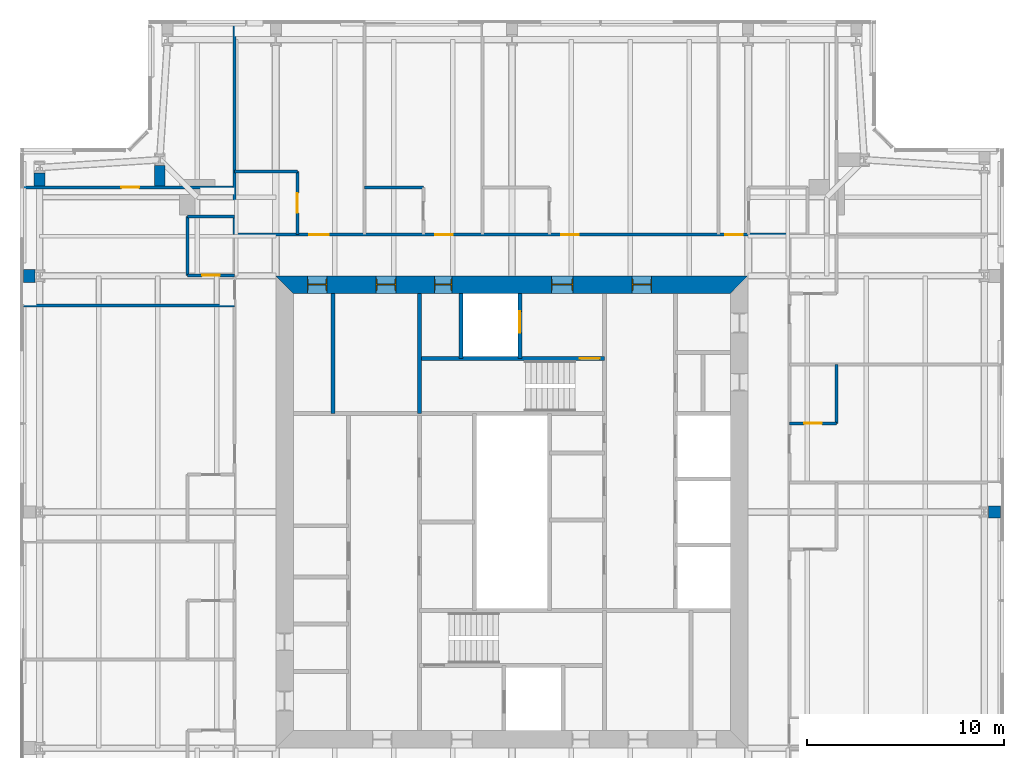
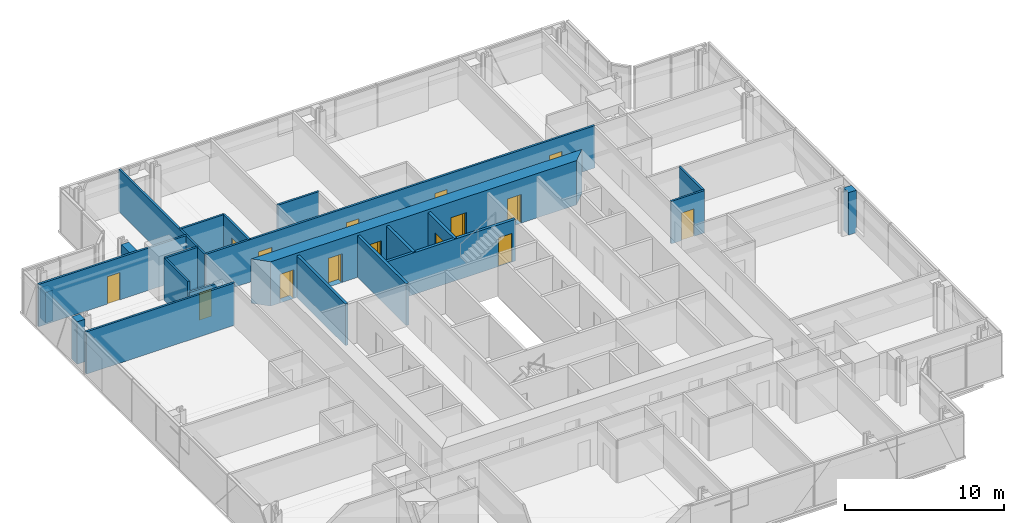
# One storey, part 14 of 20: 22 walls, 15 doors, 15 openings.
"""IFC4 building model written with IfcOpenShell, lengths in metres."""

from ifc_helpers import new_model, si_unit, direction, frame, frame_2d, origin, place, context, subcontext, project, spatial, polyline, rectangle, outline, extrude, material, layer, layer_set, type_object, element, fill, save


model = new_model("IFC4")

# Units and contexts
model_context = context("Model", 3, precision=1e-05, world=origin(), true_north=direction((0.0, 1.0)))
body_context = subcontext(model_context, "Body", "Model", "MODEL_VIEW")
ifc_project = project(units=[si_unit("LENGTHUNIT", "METRE"), si_unit("AREAUNIT", "SQUARE_METRE"), si_unit("VOLUMEUNIT", "CUBIC_METRE"), si_unit("PLANEANGLEUNIT", "RADIAN"), si_unit("MASSUNIT", "GRAM", prefix="KILO")], contexts=[model_context])

# Site, building, storey
site_placement = place(None, origin())
site = spatial("IfcSite", under=ifc_project, at=site_placement, CompositionType="ELEMENT")
building_placement = place(site_placement, origin())
building = spatial("IfcBuilding", under=site, at=building_placement, Name="Fenwick Lantern Interchange", CompositionType="ELEMENT")
storey_placement = place(building_placement, frame((0.0, 0.0, 259.39990234375)))
storey = spatial("IfcBuildingStorey", under=building, at=storey_placement, Name="L61", CompositionType="ELEMENT", Elevation=259.39990234375)

# Walls
ifc_material_1 = material(Name="Fire-rated gypsum board encasement on steel studs, 2 hour", Category="steel")
ifc_layer_1 = layer(ifc_material_1, 0.554931640625)
ifc_layer_set_1 = layer_set([ifc_layer_1], Name="COLUMN PIER 555")
wall_type_1 = type_object("IfcWallType", Name="COLUMN PIER 555", PredefinedType="PARTITIONING", material=ifc_layer_set_1)
wall_1_placement = place(storey_placement, frame((7.10009765625, 41.574951171875, 0.0), z_axis=(0.0, 0.0, 1.0), x_axis=(0.0, 1.0, 0.0)))
element("IfcWall", 1, at=wall_1_placement, inside=storey, type_object=wall_type_1, Name="L61/W/PIER/CNR", PredefinedType="PARTITIONING", context=body_context, shape_type="SweptSolid", body=[
    extrude(rectangle(XDim=1.04052734375, YDim=0.554931640625, at=frame_2d((0.520263671875, 0.0))), origin(), (0.0, 0.0, 1.0), 3.25),
])
wall_2_placement = place(storey_placement, frame((1.0, 41.574951171875, 0.0), z_axis=(0.0, 0.0, 1.0), x_axis=(0.0, 1.0, 0.0)))
element("IfcWall", 2, at=wall_2_placement, inside=storey, type_object=wall_type_1, Name="L61/W/PIER/CW1", PredefinedType="PARTITIONING", context=body_context, shape_type="SweptSolid", body=[
    extrude(rectangle(XDim=0.640625, YDim=0.554931640625, at=frame_2d((0.3203125, 0.0))), origin(), (0.0, 0.0, 1.0), 2.338134765625),
])
ifc_layer_2 = layer(ifc_material_1, 0.631103515625)
ifc_layer_set_2 = layer_set([ifc_layer_2], Name="COLUMN PIER 631")
wall_type_2 = type_object("IfcWallType", Name="COLUMN PIER 631", PredefinedType="PARTITIONING", material=ifc_layer_set_2)
wall_3_placement = place(storey_placement, frame((49.81005859375, 25.0, 0.0), z_axis=(0.0, 0.0, 1.0), x_axis=(-1.0, 0.0, 0.0)))
element("IfcWall", 3, at=wall_3_placement, inside=storey, type_object=wall_type_2, Name="L61/W/PIER/CE3", PredefinedType="PARTITIONING", context=body_context, shape_type="SweptSolid", body=[
    extrude(rectangle(XDim=0.589111328125, YDim=0.631103515625, at=frame_2d((0.29443359375, 0.0))), origin(), (0.0, 0.0, 1.0), 3.25),
])
ifc_layer_3 = layer(ifc_material_1, 0.6689453125)
ifc_layer_set_3 = layer_set([ifc_layer_3], Name="COLUMN PIER 669")
wall_type_3 = type_object("IfcWallType", Name="COLUMN PIER 669", PredefinedType="PARTITIONING", material=ifc_layer_set_3)
wall_4_placement = place(storey_placement, frame((0.18994140625, 37.0, 0.0), z_axis=(0.0, 0.0, 1.0), x_axis=(1.0, 0.0, 0.0)))
element("IfcWall", 4, at=wall_4_placement, inside=storey, type_object=wall_type_3, Name="L61/W/PIER/CW2", PredefinedType="PARTITIONING", context=body_context, shape_type="SweptSolid", body=[
    extrude(rectangle(XDim=0.582763671875, YDim=0.6689453125, at=frame_2d((0.29150390625, 0.0))), origin(), (0.0, 0.0, 1.0), 3.25),
])

# Wall, opening, door
ifc_material_2 = material(Name="Concrete masonry ASTM C90 Grade N", Category="masonry")
ifc_layer_4 = layer(ifc_material_2, 0.199951171875)
ifc_layer_set_4 = layer_set([ifc_layer_4], Name="Concrete masonry ASTM C90 Grade N")
wall_type_4 = type_object("IfcWallType", Name="CORE PARTITION 200", PredefinedType="PARTITIONING", material=ifc_layer_set_4)
wall_5_placement = place(storey_placement, frame((25.39990234375, 36.10009765625, 0.0), z_axis=(0.0, 0.0, 1.0), x_axis=(0.0, -1.0, 0.0)))
wall_5 = element("IfcWall", 5, at=wall_5_placement, inside=storey, type_object=wall_type_4, Name="L61/W/COREN/h1", PredefinedType="PARTITIONING", context=body_context, shape_type="SweptSolid", body=[
    extrude(rectangle(XDim=3.300048828125, YDim=0.199951171875, at=frame_2d((1.64990234375, 0.0))), origin(), (0.0, 0.0, 1.0), 3.2001953125),
])
opening_1_placement = place(wall_5_placement, frame((0.89990234375, 0.0, 0.0)))
opening_1 = element("IfcOpeningElement", 6, at=opening_1_placement, cuts=wall_5, Name="Opening LD-FL2", PredefinedType="OPENING", context=body_context, shape_type="SweptSolid", body=[
    extrude(rectangle(XDim=1.10009765625, YDim=2.199951171875, at=frame_2d((0.550048828125, 1.10009765625))), frame((0.0, 0.10986328125, 0.0), z_axis=(0.0, -1.0, 0.0), x_axis=(1.0, 0.0, 0.0)), (0.0, 0.0, 1.0), 0.219970703125),
])
ifc_material_3 = material(Name="Steel door and frame", Category="steel")
door_type_1 = type_object("IfcDoorType", Name="LIFT LANDING DOOR 1100 X 2200", OperationType="DOUBLE_DOOR_SLIDING", PredefinedType="DOOR", material=ifc_material_3)
door_1_placement = place(opening_1_placement, origin())
door_1 = element("IfcDoor", 7, at=door_1_placement, inside=storey, type_object=door_type_1, Name="Lift landing door FL2", OperationType="DOUBLE_DOOR_SLIDING", OverallHeight=2.199951171875, OverallWidth=1.10009765625, PredefinedType="DOOR", context=body_context, shape_type="SweptSolid", body=[
    extrude(rectangle(XDim=1.10009765625, YDim=2.199951171875, at=frame_2d((0.550048828125, 1.10009765625))), frame((0.0, 0.02490234375, 0.0), z_axis=(0.0, -1.0, 0.0), x_axis=(1.0, 0.0, 0.0)), (0.0, 0.0, 1.0), 0.050048828125),
])
fill(opening_1, door_1)

# Walls
wall_6_placement = place(storey_placement, frame((22.39990234375, 36.10009765625, 0.0), z_axis=(0.0, 0.0, 1.0), x_axis=(0.0, -1.0, 0.0)))
element("IfcWall", 8, at=wall_6_placement, inside=storey, type_object=wall_type_4, Name="L61/W/COREN/h2", PredefinedType="PARTITIONING", context=body_context, shape_type="SweptSolid", body=[
    extrude(rectangle(XDim=3.300048828125, YDim=0.199951171875, at=frame_2d((1.64990234375, 0.0))), origin(), (0.0, 0.0, 1.0), 3.2001953125),
])
wall_7_placement = place(storey_placement, frame((15.89990234375, 36.10009765625, 0.0), z_axis=(0.0, 0.0, 1.0), x_axis=(0.0, -1.0, 0.0)))
element("IfcWall", 9, at=wall_7_placement, inside=storey, type_object=wall_type_4, Name="L61/W/COREN/i2", PredefinedType="PARTITIONING", context=body_context, shape_type="SweptSolid", body=[
    extrude(rectangle(XDim=6.10009765625, YDim=0.199951171875, at=frame_2d((3.050048828125, 0.0))), origin(), (0.0, 0.0, 1.0), 3.2001953125),
])

# Wall, openings, doors
ifc_material_4 = material(Name="Concrete f'c 70 MPa", Category="concrete")
ifc_layer_5 = layer(ifc_material_4, 0.89990234375)
ifc_layer_set_5 = layer_set([ifc_layer_5], Name="CORE WALL 900")
wall_type_5 = type_object("IfcWallType", Name="CORE WALL 900", PredefinedType="SHEAR", material=ifc_layer_set_5)
wall_8_placement = place(storey_placement, frame((37.0, 36.550048828125, 0.0), z_axis=(0.0, 0.0, 1.0), x_axis=(-1.0, 0.0, 0.0)))
wall_8 = element("IfcWall", 10, at=wall_8_placement, inside=storey, type_object=wall_type_5, Name="L61/CORE/N", PredefinedType="SHEAR", context=body_context, shape_type="SweptSolid", body=[
    extrude(outline(polyline([(0.0, -0.449951171875), (24.0, -0.449951171875), (23.10009765625, 0.449951171875), (0.89990234375, 0.449951171875), (0.0, -0.449951171875)])), origin(), (0.0, 0.0, 1.0), 3.400146484375),
])
opening_2_placement = place(wall_8_placement, frame((4.89990234375, 0.0, 0.0)))
opening_2 = element("IfcOpeningElement", 11, at=opening_2_placement, cuts=wall_8, Name="Opening L61-D014", PredefinedType="OPENING", context=body_context, shape_type="SweptSolid", body=[
    extrude(rectangle(XDim=1.0, YDim=2.199951171875, at=frame_2d((0.5, 1.10009765625))), frame((0.0, 0.4599609375, 0.0), z_axis=(0.0, -1.0, 0.0), x_axis=(1.0, 0.0, 0.0)), (0.0, 0.0, 1.0), 0.919921875),
])
opening_3_placement = place(wall_8_placement, frame((8.89990234375, 0.0, 0.0)))
opening_3 = element("IfcOpeningElement", 12, at=opening_3_placement, cuts=wall_8, Name="Opening L61-D015", PredefinedType="OPENING", context=body_context, shape_type="SweptSolid", body=[
    extrude(rectangle(XDim=1.10009765625, YDim=2.199951171875, at=frame_2d((0.550048828125, 1.10009765625))), frame((0.0, 0.4599609375, 0.0), z_axis=(0.0, -1.0, 0.0), x_axis=(1.0, 0.0, 0.0)), (0.0, 0.0, 1.0), 0.919921875),
])
opening_4_placement = place(wall_8_placement, frame((15.050048828125, 0.0, 0.0)))
opening_4 = element("IfcOpeningElement", 13, at=opening_4_placement, cuts=wall_8, Name="Opening L61-D017", PredefinedType="OPENING", context=body_context, shape_type="SweptSolid", body=[
    extrude(rectangle(XDim=0.89990234375, YDim=2.199951171875, at=frame_2d((0.449951171875, 1.10009765625))), frame((0.0, 0.4599609375, 0.0), z_axis=(0.0, -1.0, 0.0), x_axis=(1.0, 0.0, 0.0)), (0.0, 0.0, 1.0), 0.919921875),
])
opening_5_placement = place(wall_8_placement, frame((17.89990234375, 0.0, 0.0)))
opening_5 = element("IfcOpeningElement", 14, at=opening_5_placement, cuts=wall_8, Name="Opening L61-D018", PredefinedType="OPENING", context=body_context, shape_type="SweptSolid", body=[
    extrude(rectangle(XDim=1.0, YDim=2.199951171875, at=frame_2d((0.5, 1.10009765625))), frame((0.0, 0.4599609375, 0.0), z_axis=(0.0, -1.0, 0.0), x_axis=(1.0, 0.0, 0.0)), (0.0, 0.0, 1.0), 0.919921875),
])
opening_6_placement = place(wall_8_placement, frame((21.39990234375, 0.0, 0.0)))
opening_6 = element("IfcOpeningElement", 15, at=opening_6_placement, cuts=wall_8, Name="Opening L61-D019", PredefinedType="OPENING", context=body_context, shape_type="SweptSolid", body=[
    extrude(rectangle(XDim=1.0, YDim=2.199951171875, at=frame_2d((0.5, 1.10009765625))), frame((0.0, 0.4599609375, 0.0), z_axis=(0.0, -1.0, 0.0), x_axis=(1.0, 0.0, 0.0)), (0.0, 0.0, 1.0), 0.919921875),
])
door_type_2 = type_object("IfcDoorType", Name="CORE LOBBY DOOR 1000 X 2200", OperationType="SINGLE_SWING_LEFT", PredefinedType="DOOR", material=ifc_material_3)
door_2_placement = place(opening_2_placement, origin())
door_2 = element("IfcDoor", 16, at=door_2_placement, inside=storey, type_object=door_type_2, Name="Core lobby door", OperationType="SINGLE_SWING_LEFT", OverallHeight=2.199951171875, OverallWidth=1.0, PredefinedType="DOOR", context=body_context, shape_type="SweptSolid", body=[
    extrude(rectangle(XDim=1.0, YDim=2.199951171875, at=frame_2d((0.5, 1.10009765625))), frame((0.0, 0.02490234375, 0.0), z_axis=(0.0, -1.0, 0.0), x_axis=(1.0, 0.0, 0.0)), (0.0, 0.0, 1.0), 0.050048828125),
    extrude(outline(polyline([(0.0, 0.0), (0.0400390625, 0.0), (0.0400390625, 2.159912109375), (0.9599609375, 2.159912109375), (0.9599609375, 0.0), (1.0, 0.0), (1.0, 2.199951171875), (0.0, 2.199951171875), (0.0, 0.0)])), frame((0.0, 0.300048828125, 0.0), z_axis=(0.0, -1.0, 0.0), x_axis=(1.0, 0.0, 0.0)), (0.0, 0.0, 1.0), 0.60009765625),
])
fill(opening_2, door_2)
door_type_3 = type_object("IfcDoorType", Name="FIRE LOBBY DOOR 1100 X 2200", OperationType="SINGLE_SWING_LEFT", PredefinedType="DOOR", material=ifc_material_3)
door_3_placement = place(opening_3_placement, origin())
door_3 = element("IfcDoor", 17, at=door_3_placement, inside=storey, type_object=door_type_3, Name="Fire lobby door", OperationType="SINGLE_SWING_LEFT", OverallHeight=2.199951171875, OverallWidth=1.10009765625, PredefinedType="DOOR", context=body_context, shape_type="SweptSolid", body=[
    extrude(rectangle(XDim=1.10009765625, YDim=2.199951171875, at=frame_2d((0.550048828125, 1.10009765625))), frame((0.0, 0.02490234375, 0.0), z_axis=(0.0, -1.0, 0.0), x_axis=(1.0, 0.0, 0.0)), (0.0, 0.0, 1.0), 0.050048828125),
    extrude(outline(polyline([(0.0, 0.0), (0.0400390625, 0.0), (0.0400390625, 2.159912109375), (1.06005859375, 2.159912109375), (1.06005859375, 0.0), (1.10009765625, 0.0), (1.10009765625, 2.199951171875), (0.0, 2.199951171875), (0.0, 0.0)])), frame((0.0, 0.300048828125, 0.0), z_axis=(0.0, -1.0, 0.0), x_axis=(1.0, 0.0, 0.0)), (0.0, 0.0, 1.0), 0.60009765625),
])
fill(opening_3, door_3)
door_type_4 = type_object("IfcDoorType", Name="SERVICE DOOR 900 X 2200", OperationType="SINGLE_SWING_LEFT", PredefinedType="DOOR", material=ifc_material_3)
door_4_placement = place(opening_4_placement, origin())
door_4 = element("IfcDoor", 18, at=door_4_placement, inside=storey, type_object=door_type_4, Name="Service door", OperationType="SINGLE_SWING_LEFT", OverallHeight=2.199951171875, OverallWidth=0.89990234375, PredefinedType="DOOR", context=body_context, shape_type="SweptSolid", body=[
    extrude(rectangle(XDim=0.89990234375, YDim=2.199951171875, at=frame_2d((0.449951171875, 1.10009765625))), frame((0.0, 0.02490234375, 0.0), z_axis=(0.0, -1.0, 0.0), x_axis=(1.0, 0.0, 0.0)), (0.0, 0.0, 1.0), 0.050048828125),
    extrude(outline(polyline([(0.0, 0.0), (0.0400390625, 0.0), (0.0400390625, 2.159912109375), (0.85986328125, 2.159912109375), (0.85986328125, 0.0), (0.89990234375, 0.0), (0.89990234375, 2.199951171875), (0.0, 2.199951171875), (0.0, 0.0)])), frame((0.0, 0.300048828125, 0.0), z_axis=(0.0, -1.0, 0.0), x_axis=(1.0, 0.0, 0.0)), (0.0, 0.0, 1.0), 0.60009765625),
])
fill(opening_4, door_4)
ifc_material_5 = material(Name="Hardwood door and steel frame", Category="steel")
door_type_5 = type_object("IfcDoorType", Name="WC DOOR 1000 X 2200", OperationType="SINGLE_SWING_LEFT", PredefinedType="DOOR", material=ifc_material_5)
door_5_placement = place(opening_5_placement, origin())
door_5 = element("IfcDoor", 19, at=door_5_placement, inside=storey, type_object=door_type_5, Name="Wc door", OperationType="SINGLE_SWING_LEFT", OverallHeight=2.199951171875, OverallWidth=1.0, PredefinedType="DOOR", context=body_context, shape_type="SweptSolid", body=[
    extrude(rectangle(XDim=1.0, YDim=2.199951171875, at=frame_2d((0.5, 1.10009765625))), frame((0.0, 0.02490234375, 0.0), z_axis=(0.0, -1.0, 0.0), x_axis=(1.0, 0.0, 0.0)), (0.0, 0.0, 1.0), 0.050048828125),
    extrude(outline(polyline([(0.0, 0.0), (0.0400390625, 0.0), (0.0400390625, 2.159912109375), (0.9599609375, 2.159912109375), (0.9599609375, 0.0), (1.0, 0.0), (1.0, 2.199951171875), (0.0, 2.199951171875), (0.0, 0.0)])), frame((0.0, 0.300048828125, 0.0), z_axis=(0.0, -1.0, 0.0), x_axis=(1.0, 0.0, 0.0)), (0.0, 0.0, 1.0), 0.60009765625),
])
fill(opening_5, door_5)
door_6_placement = place(opening_6_placement, origin())
door_6 = element("IfcDoor", 20, at=door_6_placement, inside=storey, type_object=door_type_5, Name="Wc door", OperationType="SINGLE_SWING_LEFT", OverallHeight=2.199951171875, OverallWidth=1.0, PredefinedType="DOOR", context=body_context, shape_type="SweptSolid", body=[
    extrude(rectangle(XDim=1.0, YDim=2.199951171875, at=frame_2d((0.5, 1.10009765625))), frame((0.0, 0.02490234375, 0.0), z_axis=(0.0, -1.0, 0.0), x_axis=(1.0, 0.0, 0.0)), (0.0, 0.0, 1.0), 0.050048828125),
    extrude(outline(polyline([(0.0, 0.0), (0.0400390625, 0.0), (0.0400390625, 2.159912109375), (0.9599609375, 2.159912109375), (0.9599609375, 0.0), (1.0, 0.0), (1.0, 2.199951171875), (0.0, 2.199951171875), (0.0, 0.0)])), frame((0.0, 0.300048828125, 0.0), z_axis=(0.0, -1.0, 0.0), x_axis=(1.0, 0.0, 0.0)), (0.0, 0.0, 1.0), 0.60009765625),
])
fill(opening_6, door_6)

ifc_material_6 = material(Name="Gypsum board on steel studs, 1 hour", Category="steel")
ifc_layer_6 = layer(ifc_material_6, 0.14990234375)
ifc_layer_set_6 = layer_set([ifc_layer_6], Name="CORRIDOR WALL 150")
wall_type_6 = type_object("IfcWallType", Name="CORRIDOR WALL 150", PredefinedType="PARTITIONING", material=ifc_layer_set_6)
wall_9_placement = place(storey_placement, frame((39.10009765625, 39.10009765625, 0.0), z_axis=(0.0, 0.0, 1.0), x_axis=(-1.0, 0.0, 0.0)))
wall_9 = element("IfcWall", 21, at=wall_9_placement, inside=storey, type_object=wall_type_6, Name="L61/W/HOTEL/N/CW", PredefinedType="PARTITIONING", context=body_context, shape_type="SweptSolid", body=[
    extrude(rectangle(XDim=28.2001953125, YDim=0.14990234375, at=frame_2d((14.10009765625, 0.0))), origin(), (0.0, 0.0, 1.0), 3.25),
])
opening_7_placement = place(wall_9_placement, frame((2.375, 0.0, 0.0)))
opening_7 = element("IfcOpeningElement", 22, at=opening_7_placement, cuts=wall_9, Name="Opening L61-D046", PredefinedType="OPENING", context=body_context, shape_type="SweptSolid", body=[
    extrude(rectangle(XDim=0.89990234375, YDim=2.10009765625, at=frame_2d((0.449951171875, 1.050048828125))), frame((0.0, 0.0849609375, 0.0), z_axis=(0.0, -1.0, 0.0), x_axis=(1.0, 0.0, 0.0)), (0.0, 0.0, 1.0), 0.169921875),
])
opening_8_placement = place(wall_9_placement, frame((10.699951171875, 0.0, 0.0)))
opening_8 = element("IfcOpeningElement", 23, at=opening_8_placement, cuts=wall_9, Name="Opening L61-D048", PredefinedType="OPENING", context=body_context, shape_type="SweptSolid", body=[
    extrude(rectangle(XDim=0.89990234375, YDim=2.10009765625, at=frame_2d((0.449951171875, 1.050048828125))), frame((0.0, 0.0849609375, 0.0), z_axis=(0.0, -1.0, 0.0), x_axis=(1.0, 0.0, 0.0)), (0.0, 0.0, 1.0), 0.169921875),
])
opening_9_placement = place(wall_9_placement, frame((17.10009765625, 0.0, 0.0)))
opening_9 = element("IfcOpeningElement", 24, at=opening_9_placement, cuts=wall_9, Name="Opening L61-D050", PredefinedType="OPENING", context=body_context, shape_type="SweptSolid", body=[
    extrude(rectangle(XDim=0.89990234375, YDim=2.10009765625, at=frame_2d((0.449951171875, 1.050048828125))), frame((0.0, 0.0849609375, 0.0), z_axis=(0.0, -1.0, 0.0), x_axis=(1.0, 0.0, 0.0)), (0.0, 0.0, 1.0), 0.169921875),
])
opening_10_placement = place(wall_9_placement, frame((23.39990234375, 0.0, 0.0)))
opening_10 = element("IfcOpeningElement", 25, at=opening_10_placement, cuts=wall_9, Name="Opening L61-D052", PredefinedType="OPENING", context=body_context, shape_type="SweptSolid", body=[
    extrude(rectangle(XDim=1.0, YDim=2.10009765625, at=frame_2d((0.5, 1.050048828125))), frame((0.0, 0.0849609375, 0.0), z_axis=(0.0, -1.0, 0.0), x_axis=(1.0, 0.0, 0.0)), (0.0, 0.0, 1.0), 0.169921875),
])
door_type_6 = type_object("IfcDoorType", Name="GUEST ROOM DOOR 1000 X 2100", OperationType="SINGLE_SWING_LEFT", PredefinedType="DOOR", material=ifc_material_3)
door_7_placement = place(opening_10_placement, frame((1.0, 0.0, 0.0), z_axis=(0.0, 0.0, 1.0), x_axis=(-1.0, 0.0, 0.0)))
door_7 = element("IfcDoor", 26, at=door_7_placement, inside=storey, type_object=door_type_6, Name="Guest room door", OperationType="SINGLE_SWING_LEFT", OverallHeight=2.10009765625, OverallWidth=1.0, PredefinedType="DOOR", context=body_context, shape_type="SweptSolid", body=[
    extrude(rectangle(XDim=1.0, YDim=2.10009765625, at=frame_2d((0.5, 1.050048828125))), frame((0.0, 0.02490234375, 0.0), z_axis=(0.0, -1.0, 0.0), x_axis=(1.0, 0.0, 0.0)), (0.0, 0.0, 1.0), 0.050048828125),
])
fill(opening_10, door_7)
door_type_7 = type_object("IfcDoorType", Name="GUEST ROOM DOOR 900 X 2100", OperationType="SINGLE_SWING_LEFT", PredefinedType="DOOR", material=ifc_material_3)
door_8_placement = place(opening_7_placement, frame((0.89990234375, 0.0, 0.0), z_axis=(0.0, 0.0, 1.0), x_axis=(-1.0, 0.0, 0.0)))
door_8 = element("IfcDoor", 27, at=door_8_placement, inside=storey, type_object=door_type_7, Name="Guest room door", OperationType="SINGLE_SWING_RIGHT", OverallHeight=2.10009765625, OverallWidth=0.89990234375, PredefinedType="DOOR", context=body_context, shape_type="SweptSolid", body=[
    extrude(rectangle(XDim=0.89990234375, YDim=2.10009765625, at=frame_2d((0.449951171875, 1.050048828125))), frame((0.0, 0.02490234375, 0.0), z_axis=(0.0, -1.0, 0.0), x_axis=(1.0, 0.0, 0.0)), (0.0, 0.0, 1.0), 0.050048828125),
])
fill(opening_7, door_8)
door_9_placement = place(opening_8_placement, frame((0.89990234375, 0.0, 0.0), z_axis=(0.0, 0.0, 1.0), x_axis=(-1.0, 0.0, 0.0)))
door_9 = element("IfcDoor", 28, at=door_9_placement, inside=storey, type_object=door_type_7, Name="Guest room door", OperationType="SINGLE_SWING_LEFT", OverallHeight=2.10009765625, OverallWidth=0.89990234375, PredefinedType="DOOR", context=body_context, shape_type="SweptSolid", body=[
    extrude(rectangle(XDim=0.89990234375, YDim=2.10009765625, at=frame_2d((0.449951171875, 1.050048828125))), frame((0.0, 0.02490234375, 0.0), z_axis=(0.0, -1.0, 0.0), x_axis=(1.0, 0.0, 0.0)), (0.0, 0.0, 1.0), 0.050048828125),
])
fill(opening_8, door_9)
door_10_placement = place(opening_9_placement, frame((0.89990234375, 0.0, 0.0), z_axis=(0.0, 0.0, 1.0), x_axis=(-1.0, 0.0, 0.0)))
door_10 = element("IfcDoor", 29, at=door_10_placement, inside=storey, type_object=door_type_7, Name="Guest room door", OperationType="SINGLE_SWING_LEFT", OverallHeight=2.10009765625, OverallWidth=0.89990234375, PredefinedType="DOOR", context=body_context, shape_type="SweptSolid", body=[
    extrude(rectangle(XDim=0.89990234375, YDim=2.10009765625, at=frame_2d((0.449951171875, 1.050048828125))), frame((0.0, 0.02490234375, 0.0), z_axis=(0.0, -1.0, 0.0), x_axis=(1.0, 0.0, 0.0)), (0.0, 0.0, 1.0), 0.050048828125),
])
fill(opening_9, door_10)

# Wall
ifc_material_7 = material(Name="Gypsum board on steel studs, moisture resistant", Category="steel")
ifc_layer_7 = layer(ifc_material_7, 0.14990234375)
ifc_layer_set_7 = layer_set([ifc_layer_7], Name="EN-SUITE WALL 150")
wall_type_7 = type_object("IfcWallType", Name="EN-SUITE WALL 150", PredefinedType="PARTITIONING", material=ifc_layer_set_7)
wall_10_placement = place(storey_placement, frame((41.5, 29.5, 0.0), z_axis=(0.0, 0.0, 1.0), x_axis=(0.0, 1.0, 0.0)))
element("IfcWall", 30, at=wall_10_placement, inside=storey, type_object=wall_type_7, Name="L61/W/HOTEL/E/U3BW", PredefinedType="PARTITIONING", context=body_context, shape_type="SweptSolid", body=[
    extrude(rectangle(XDim=3.0, YDim=0.14990234375, at=frame_2d((1.5, 0.0))), origin(), (0.0, 0.0, 1.0), 3.25),
])

# Wall, opening, door
wall_11_placement = place(storey_placement, frame((41.5, 29.5, 0.0), z_axis=(0.0, 0.0, 1.0), x_axis=(-1.0, 0.0, 0.0)))
wall_11 = element("IfcWall", 31, at=wall_11_placement, inside=storey, type_object=wall_type_7, Name="L61/W/HOTEL/E/U3BX", PredefinedType="PARTITIONING", context=body_context, shape_type="SweptSolid", body=[
    extrude(rectangle(XDim=2.39990234375, YDim=0.14990234375, at=frame_2d((1.199951171875, 0.0))), origin(), (0.0, 0.0, 1.0), 3.25),
])
opening_11_placement = place(wall_11_placement, frame((0.75, 0.0, 0.0)))
opening_11 = element("IfcOpeningElement", 32, at=opening_11_placement, cuts=wall_11, Name="Opening L61-D040", PredefinedType="OPENING", context=body_context, shape_type="SweptSolid", body=[
    extrude(rectangle(XDim=0.89990234375, YDim=2.10009765625, at=frame_2d((0.449951171875, 1.050048828125))), frame((0.0, 0.0849609375, 0.0), z_axis=(0.0, -1.0, 0.0), x_axis=(1.0, 0.0, 0.0)), (0.0, 0.0, 1.0), 0.169921875),
])
door_type_8 = type_object("IfcDoorType", Name="EN-SUITE DOOR 900 X 2100", OperationType="SINGLE_SWING_LEFT", PredefinedType="DOOR", material=ifc_material_5)
door_11_placement = place(opening_11_placement, frame((0.89990234375, 0.0, 0.0), z_axis=(0.0, 0.0, 1.0), x_axis=(-1.0, 0.0, 0.0)))
door_11 = element("IfcDoor", 33, at=door_11_placement, inside=storey, type_object=door_type_8, Name="En-suite door", OperationType="SINGLE_SWING_RIGHT", OverallHeight=2.10009765625, OverallWidth=0.89990234375, PredefinedType="DOOR", context=body_context, shape_type="SweptSolid", body=[
    extrude(rectangle(XDim=0.89990234375, YDim=2.10009765625, at=frame_2d((0.449951171875, 1.050048828125))), frame((0.0, 0.02490234375, 0.0), z_axis=(0.0, -1.0, 0.0), x_axis=(1.0, 0.0, 0.0)), (0.0, 0.0, 1.0), 0.050048828125),
])
fill(opening_11, door_11)

# Walls
wall_12_placement = place(storey_placement, frame((20.5, 41.5, 0.0), z_axis=(0.0, 0.0, 1.0), x_axis=(-1.0, 0.0, 0.0)))
element("IfcWall", 34, at=wall_12_placement, inside=storey, type_object=wall_type_7, Name="L61/W/HOTEL/N/U3BW", PredefinedType="PARTITIONING", context=body_context, shape_type="SweptSolid", body=[
    extrude(rectangle(XDim=3.0, YDim=0.14990234375, at=frame_2d((1.5, 0.0))), origin(), (0.0, 0.0, 1.0), 3.25),
])
wall_13_placement = place(storey_placement, frame((14.10009765625, 42.300048828125, 0.0), z_axis=(0.0, 0.0, 1.0), x_axis=(-1.0, 0.0, 0.0)))
element("IfcWall", 35, at=wall_13_placement, inside=storey, type_object=wall_type_7, Name="L61/W/HOTEL/N/U4BW", PredefinedType="PARTITIONING", context=body_context, shape_type="SweptSolid", body=[
    extrude(rectangle(XDim=3.2001953125, YDim=0.14990234375, at=frame_2d((1.60009765625, 0.0))), origin(), (0.0, 0.0, 1.0), 3.25),
])

# Wall, opening, door
wall_14_placement = place(storey_placement, frame((14.10009765625, 42.300048828125, 0.0), z_axis=(0.0, 0.0, 1.0), x_axis=(0.0, -1.0, 0.0)))
wall_14 = element("IfcWall", 36, at=wall_14_placement, inside=storey, type_object=wall_type_7, Name="L61/W/HOTEL/N/U4BX", PredefinedType="PARTITIONING", context=body_context, shape_type="SweptSolid", body=[
    extrude(rectangle(XDim=3.199951171875, YDim=0.14990234375, at=frame_2d((1.60009765625, 0.0))), origin(), (0.0, 0.0, 1.0), 3.25),
])
opening_12_placement = place(wall_14_placement, frame((1.10009765625, 0.0, 0.0)))
opening_12 = element("IfcOpeningElement", 37, at=opening_12_placement, cuts=wall_14, Name="Opening L61-D051", PredefinedType="OPENING", context=body_context, shape_type="SweptSolid", body=[
    extrude(rectangle(XDim=1.0, YDim=2.10009765625, at=frame_2d((0.5, 1.050048828125))), frame((0.0, 0.0849609375, 0.0), z_axis=(0.0, -1.0, 0.0), x_axis=(1.0, 0.0, 0.0)), (0.0, 0.0, 1.0), 0.169921875),
])
door_type_9 = type_object("IfcDoorType", Name="EN-SUITE DOOR 1000 X 2100", OperationType="SINGLE_SWING_LEFT", PredefinedType="DOOR", material=ifc_material_5)
door_12_placement = place(opening_12_placement, frame((1.0, 0.0, 0.0), z_axis=(0.0, 0.0, 1.0), x_axis=(-1.0, 0.0, 0.0)))
door_12 = element("IfcDoor", 38, at=door_12_placement, inside=storey, type_object=door_type_9, Name="En-suite door", OperationType="SINGLE_SWING_RIGHT", OverallHeight=2.10009765625, OverallWidth=1.0, PredefinedType="DOOR", context=body_context, shape_type="SweptSolid", body=[
    extrude(rectangle(XDim=1.0, YDim=2.10009765625, at=frame_2d((0.5, 1.050048828125))), frame((0.0, 0.02490234375, 0.0), z_axis=(0.0, -1.0, 0.0), x_axis=(1.0, 0.0, 0.0)), (0.0, 0.0, 1.0), 0.050048828125),
])
fill(opening_12, door_12)

# Wall
wall_15_placement = place(storey_placement, frame((8.5, 40.02490234375, 0.0), z_axis=(0.0, 0.0, 1.0), x_axis=(0.0, -1.0, 0.0)))
element("IfcWall", 39, at=wall_15_placement, inside=storey, type_object=wall_type_7, Name="L61/W/HOTEL/W/U1BW", PredefinedType="PARTITIONING", context=body_context, shape_type="SweptSolid", body=[
    extrude(rectangle(XDim=3.0, YDim=0.14990234375, at=frame_2d((1.5, 0.0))), origin(), (0.0, 0.0, 1.0), 3.25),
])

# Wall, opening, door
wall_16_placement = place(storey_placement, frame((8.5, 37.02490234375, 0.0), z_axis=(0.0, 0.0, 1.0), x_axis=(1.0, 0.0, 0.0)))
wall_16 = element("IfcWall", 40, at=wall_16_placement, inside=storey, type_object=wall_type_7, Name="L61/W/HOTEL/W/U1BX", PredefinedType="PARTITIONING", context=body_context, shape_type="SweptSolid", body=[
    extrude(rectangle(XDim=2.39990234375, YDim=0.14990234375, at=frame_2d((1.199951171875, 0.0))), origin(), (0.0, 0.0, 1.0), 2.404296875),
])
opening_13_placement = place(wall_16_placement, frame((0.75, 0.0, 0.0)))
opening_13 = element("IfcOpeningElement", 41, at=opening_13_placement, cuts=wall_16, Name="Opening L61-D053", PredefinedType="OPENING", context=body_context, shape_type="SweptSolid", body=[
    extrude(rectangle(XDim=0.89990234375, YDim=2.10009765625, at=frame_2d((0.449951171875, 1.050048828125))), frame((0.0, 0.0849609375, 0.0), z_axis=(0.0, -1.0, 0.0), x_axis=(1.0, 0.0, 0.0)), (0.0, 0.0, 1.0), 0.169921875),
])
door_13_placement = place(opening_13_placement, origin())
door_13 = element("IfcDoor", 42, at=door_13_placement, inside=storey, type_object=door_type_8, Name="En-suite door", OperationType="SINGLE_SWING_LEFT", OverallHeight=2.10009765625, OverallWidth=0.89990234375, PredefinedType="DOOR", context=body_context, shape_type="SweptSolid", body=[
    extrude(rectangle(XDim=0.89990234375, YDim=2.10009765625, at=frame_2d((0.449951171875, 1.050048828125))), frame((0.0, 0.02490234375, 0.0), z_axis=(0.0, -1.0, 0.0), x_axis=(1.0, 0.0, 0.0)), (0.0, 0.0, 1.0), 0.050048828125),
])
fill(opening_13, door_13)

# Walls
wall_17_placement = place(storey_placement, frame((8.5, 40.02490234375, 0.0), z_axis=(0.0, 0.0, 1.0), x_axis=(1.0, 0.0, 0.0)))
element("IfcWall", 43, at=wall_17_placement, inside=storey, type_object=wall_type_7, Name="L61/W/HOTEL/W/U1BV", PredefinedType="PARTITIONING", context=body_context, shape_type="SweptSolid", body=[
    extrude(rectangle(XDim=2.39990234375, YDim=0.14990234375, at=frame_2d((1.199951171875, 0.0))), origin(), (0.0, 0.0, 1.0), 3.25),
])
ifc_material_8 = material(Name="Gypsum board on steel studs, 1 hour acoustic", Category="steel")
ifc_layer_8 = layer(ifc_material_8, 0.14990234375)
ifc_layer_set_8 = layer_set([ifc_layer_8], Name="PARTY WALL 150")
wall_type_8 = type_object("IfcWallType", Name="PARTY WALL 150", PredefinedType="PARTITIONING", material=ifc_layer_set_8)
for number, where, z_axis, x_axis, name in (
    (44, (10.89990234375, 49.85009765625, 0.0), (0.0, 0.0, 1.0), (0.0, -1.0, 0.0), "L61/W/HOTEL/W/SW3"),
    (45, (0.14990234375, 35.5, 0.0), (0.0, 0.0, 1.0), (1.0, 0.0, 0.0), "L61/W/HOTEL/W/U2PW"),
):
    element("IfcWall", number, at=place(storey_placement, frame(where, z_axis=z_axis, x_axis=x_axis)), inside=storey, type_object=wall_type_8, Name=name, PredefinedType="PARTITIONING", context=body_context, shape_type="SweptSolid", body=[
        extrude(rectangle(XDim=10.75, YDim=0.14990234375, at=frame_2d((5.375, 0.0))), origin(), (0.0, 0.0, 1.0), 3.25),
    ])

# Wall, opening, door
ifc_material_9 = material(Name="Concrete f'c 45 MPa", Category="concrete")
ifc_layer_9 = layer(ifc_material_9, 0.199951171875)
ifc_layer_set_9 = layer_set([ifc_layer_9], Name="STAIR CORE WALL 200")
wall_type_9 = type_object("IfcWallType", Name="STAIR CORE WALL 200", PredefinedType="SOLIDWALL", material=ifc_layer_set_9)
wall_18_placement = place(storey_placement, frame((29.699951171875, 32.800048828125, 0.0), z_axis=(0.0, 0.0, 1.0), x_axis=(-1.0, 0.0, 0.0)))
wall_18 = element("IfcWall", 46, at=wall_18_placement, inside=storey, type_object=wall_type_9, Name="L61/W/COREN/g1", PredefinedType="SOLIDWALL", context=body_context, shape_type="SweptSolid", body=[
    extrude(rectangle(XDim=9.39990234375, YDim=0.199951171875, at=frame_2d((4.699951171875, 0.0))), origin(), (0.0, 0.0, 1.0), 3.2001953125),
])
opening_14_placement = place(wall_18_placement, frame((0.25, 0.0, 0.0)))
opening_14 = element("IfcOpeningElement", 47, at=opening_14_placement, cuts=wall_18, Name="Opening L61-D016", PredefinedType="OPENING", context=body_context, shape_type="SweptSolid", body=[
    extrude(rectangle(XDim=1.0, YDim=2.199951171875, at=frame_2d((0.5, 1.10009765625))), frame((0.0, 0.10986328125, 0.0), z_axis=(0.0, -1.0, 0.0), x_axis=(1.0, 0.0, 0.0)), (0.0, 0.0, 1.0), 0.219970703125),
])
door_type_10 = type_object("IfcDoorType", Name="STAIR DOOR 1000 X 2200", OperationType="SINGLE_SWING_LEFT", PredefinedType="DOOR", material=ifc_material_3)
door_14_placement = place(opening_14_placement, origin())
door_14 = element("IfcDoor", 48, at=door_14_placement, inside=storey, type_object=door_type_10, Name="Stair door", OperationType="SINGLE_SWING_LEFT", OverallHeight=2.199951171875, OverallWidth=1.0, PredefinedType="DOOR", context=body_context, shape_type="SweptSolid", body=[
    extrude(rectangle(XDim=1.0, YDim=2.199951171875, at=frame_2d((0.5, 1.10009765625))), frame((0.0, 0.02490234375, 0.0), z_axis=(0.0, -1.0, 0.0), x_axis=(1.0, 0.0, 0.0)), (0.0, 0.0, 1.0), 0.050048828125),
])
fill(opening_14, door_14)

# Wall
wall_19_placement = place(storey_placement, frame((20.300048828125, 36.10009765625, 0.0), z_axis=(0.0, 0.0, 1.0), x_axis=(0.0, -1.0, 0.0)))
element("IfcWall", 49, at=wall_19_placement, inside=storey, type_object=wall_type_9, Name="L61/W/COREN/i1", PredefinedType="SOLIDWALL", context=body_context, shape_type="SweptSolid", body=[
    extrude(rectangle(XDim=6.10009765625, YDim=0.199951171875, at=frame_2d((3.050048828125, 0.0))), origin(), (0.0, 0.0, 1.0), 3.2001953125),
])

# Wall, opening, door
ifc_material_10 = material(Name="Gypsum board on steel studs, acoustic", Category="steel")
ifc_layer_10 = layer(ifc_material_10, 0.14990234375)
ifc_layer_set_10 = layer_set([ifc_layer_10], Name="SUITE PARTITION 150")
wall_type_10 = type_object("IfcWallType", Name="SUITE PARTITION 150", PredefinedType="PARTITIONING", material=ifc_layer_set_10)
wall_20_placement = place(storey_placement, frame((0.14990234375, 41.5, 0.0), z_axis=(0.0, 0.0, 1.0), x_axis=(1.0, 0.0, 0.0)))
wall_20 = element("IfcWall", 50, at=wall_20_placement, inside=storey, type_object=wall_type_10, Name="L61/W/HOTEL/W/U1P", PredefinedType="PARTITIONING", context=body_context, shape_type="SweptSolid", body=[
    extrude(rectangle(XDim=10.75, YDim=0.14990234375, at=frame_2d((5.375, 0.0))), origin(), (0.0, 0.0, 1.0), 3.25),
])
opening_15_placement = place(wall_20_placement, frame((5.0, 0.0, 0.0)))
opening_15 = element("IfcOpeningElement", 51, at=opening_15_placement, cuts=wall_20, Name="Opening L61-D054", PredefinedType="OPENING", context=body_context, shape_type="SweptSolid", body=[
    extrude(rectangle(XDim=0.89990234375, YDim=2.10009765625, at=frame_2d((0.449951171875, 1.050048828125))), frame((0.0, 0.0849609375, 0.0), z_axis=(0.0, -1.0, 0.0), x_axis=(1.0, 0.0, 0.0)), (0.0, 0.0, 1.0), 0.169921875),
])
door_type_11 = type_object("IfcDoorType", Name="SUITE INTERNAL DOOR 900 X 2100", OperationType="SINGLE_SWING_LEFT", PredefinedType="DOOR", material=ifc_material_5)
door_15_placement = place(opening_15_placement, origin())
door_15 = element("IfcDoor", 52, at=door_15_placement, inside=storey, type_object=door_type_11, Name="Suite internal door", OperationType="SINGLE_SWING_RIGHT", OverallHeight=2.10009765625, OverallWidth=0.89990234375, PredefinedType="DOOR", context=body_context, shape_type="SweptSolid", body=[
    extrude(rectangle(XDim=0.89990234375, YDim=2.10009765625, at=frame_2d((0.449951171875, 1.050048828125))), frame((0.0, 0.02490234375, 0.0), z_axis=(0.0, -1.0, 0.0), x_axis=(1.0, 0.0, 0.0)), (0.0, 0.0, 1.0), 0.050048828125),
])
fill(opening_15, door_15)

save(model, "model.ifc")
